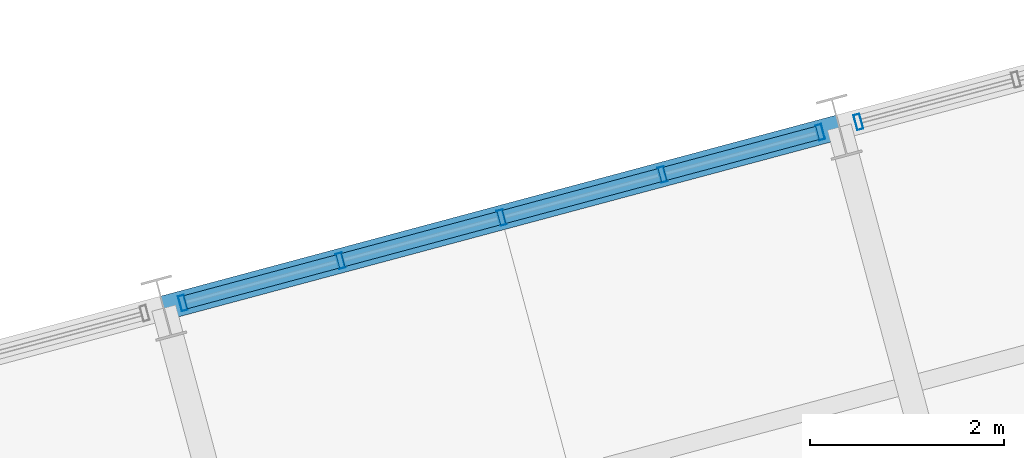
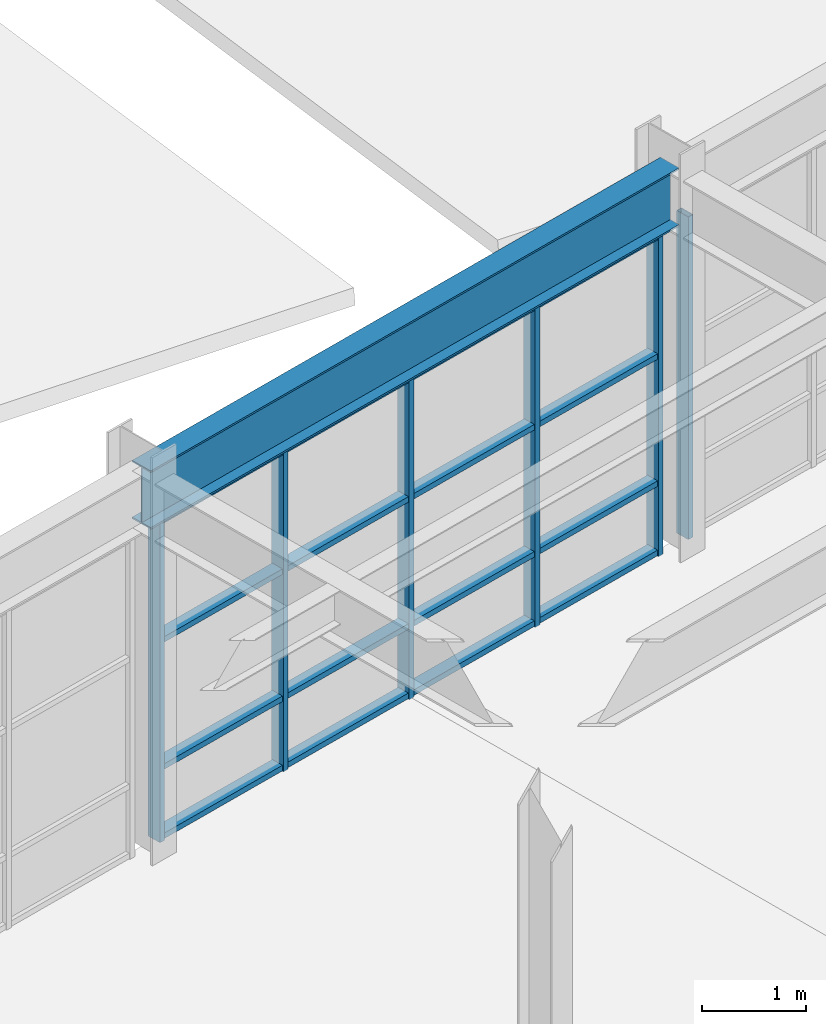
# One storey, part 44 of 104: 22 members, 1 beam, 2 elements without a shape of their own.
"""IFC4 building model written with IfcOpenShell, lengths in metres."""

from ifc_helpers import new_model, si_unit, direction, frame, origin, origin_2d, place, context, subcontext, project, spatial, hollow_rectangle, i_section, extrude, material, layer, layer_set, material_profile, profile_set, type_object, element, aggregate, save


model = new_model("IFC4")

# Units and contexts
model_context = context("Model", 3, precision=1e-05, world=origin(), true_north=direction((0.0, 1.0)))
body_context = subcontext(model_context, "Body", "Model", "MODEL_VIEW")
ifc_project = project(units=[si_unit("LENGTHUNIT", "METRE"), si_unit("AREAUNIT", "SQUARE_METRE"), si_unit("VOLUMEUNIT", "CUBIC_METRE"), si_unit("PLANEANGLEUNIT", "RADIAN"), si_unit("MASSUNIT", "GRAM", prefix="KILO")], contexts=[model_context])

# Site, building, storey
site_placement = place(None, origin())
site = spatial("IfcSite", under=ifc_project, at=site_placement, CompositionType="ELEMENT")
building_placement = place(site_placement, origin())
building = spatial("IfcBuilding", under=site, at=building_placement, Name="Ventoquebrada Cableway Terminal", CompositionType="ELEMENT")
storey_placement = place(building_placement, frame((0.0, 0.0, 4.800048828125)))
storey = spatial("IfcBuildingStorey", under=building, at=storey_placement, Name="L01", CompositionType="ELEMENT", Elevation=4.800048828125)

# Beam
ifc_material_1 = material(Name="Steel ASTM A992 Grade 50", Category="steel")
ifc_material_profile_1 = material_profile(ifc_material_1, i_section(OverallWidth=0.25390625, OverallDepth=0.68798828125, WebThickness=0.01318359375, FlangeThickness=0.02099609375, at=origin_2d()), Name="W27X102")
ifc_profile_set_1 = profile_set([ifc_material_profile_1], Name="Steel ASTM A992 Grade 50")
beam_type = type_object("IfcBeamType", Name="BM-ST04", PredefinedType="BEAM", material=ifc_profile_set_1)
beam_placement = place(storey_placement, frame((59.157958984375, 98.625, 4.130859375), z_axis=(0.96591172503, 0.258871665986, 0.0), x_axis=(-0.258871665986, 0.96591172503, 0.0)))
element("IfcBeam", 1, at=beam_placement, inside=storey, type_object=beam_type, Name="Splayed station girder FBM-1063", PredefinedType="BEAM", context=body_context, shape_type="SweptSolid", body=[
    extrude(i_section(OverallWidth=0.25390625, OverallDepth=0.68798828125, WebThickness=0.01318359375, FlangeThickness=0.02099609375, at=origin_2d()), origin(), (0.0, 0.0, 1.0), 7.200439453125),
])

# Curtain wall, members
ifc_material_2 = material(Name="Anodized thermally-broken aluminium", Category="aluminium")
ifc_layer_1 = layer(ifc_material_2, 0.159912109375)
ifc_layer_set_1 = layer_set([ifc_layer_1], Name="Anodized thermally-broken aluminium")
curtain_wall_type_1 = type_object("IfcCurtainWallType", Name="CW-T36", PredefinedType="USERDEFINED", material=ifc_layer_set_1)
curtain_wall_1_placement = place(storey_placement, origin())
curtain_wall_1 = element("IfcCurtainWall", 2, at=curtain_wall_1_placement, inside=storey, type_object=curtain_wall_type_1, Name="Unitised glazed curtain wall CW-090", ObjectType="UNITISED CURTAIN WALL", PredefinedType="USERDEFINED")
ifc_material_profile_2 = material_profile(ifc_material_2, hollow_rectangle(XDim=0.06494140625, YDim=0.159912109375, WallThickness=0.00390625, at=origin_2d()), Name="CW-MUL-65X160")
ifc_profile_set_2 = profile_set([ifc_material_profile_2], Name="Anodized thermally-broken aluminium")
member_type_1 = type_object("IfcMemberType", Name="CWM-01", PredefinedType="MULLION", material=ifc_profile_set_2)
member_1_placement = place(storey_placement, frame((65.916015625, 100.43603515625, -0.008056640625), z_axis=(0.0, 0.0, 1.0), x_axis=(-0.96593486019, -0.258785327773, 0.0)))
member_1 = element("IfcMember", 3, at=member_1_placement, type_object=member_type_1, Name="Curtain wall mullion FML-0439", PredefinedType="MULLION", context=body_context, shape_type="SweptSolid", body=[
    extrude(hollow_rectangle(XDim=0.06494140625, YDim=0.159912109375, WallThickness=0.00390625, at=origin_2d()), origin(), (0.0, 0.0, 1.0), 3.794921875),
])
member_2_placement = place(storey_placement, frame((64.29296875, 100.0009765625, -0.008056640625), z_axis=(0.0, 0.0, 1.0), x_axis=(-0.96593486019, -0.258785327773, 0.0)))
member_2 = element("IfcMember", 4, at=member_2_placement, type_object=member_type_1, Name="Curtain wall mullion FML-0440", PredefinedType="MULLION", context=body_context, shape_type="SweptSolid", body=[
    extrude(hollow_rectangle(XDim=0.06494140625, YDim=0.159912109375, WallThickness=0.00390625, at=origin_2d()), origin(), (0.0, 0.0, 1.0), 3.794921875),
])
member_3_placement = place(storey_placement, frame((62.635986328125, 99.556884765625, -0.008056640625), z_axis=(0.0, 0.0, 1.0), x_axis=(-0.96593486019, -0.258785327773, 0.0)))
member_3 = element("IfcMember", 5, at=member_3_placement, type_object=member_type_1, Name="Curtain wall mullion FML-0441", PredefinedType="MULLION", context=body_context, shape_type="SweptSolid", body=[
    extrude(hollow_rectangle(XDim=0.06494140625, YDim=0.159912109375, WallThickness=0.00390625, at=origin_2d()), origin(), (0.0, 0.0, 1.0), 3.794921875),
])
member_4_placement = place(storey_placement, frame((60.97802734375, 99.113037109375, -0.008056640625), z_axis=(0.0, 0.0, 1.0), x_axis=(-0.96593486019, -0.258785327773, 0.0)))
member_4 = element("IfcMember", 6, at=member_4_placement, type_object=member_type_1, Name="Curtain wall mullion FML-0442", PredefinedType="MULLION", context=body_context, shape_type="SweptSolid", body=[
    extrude(hollow_rectangle(XDim=0.06494140625, YDim=0.159912109375, WallThickness=0.00390625, at=origin_2d()), origin(), (0.0, 0.0, 1.0), 3.794921875),
])
member_5_placement = place(storey_placement, frame((59.35498046875, 98.677978515625, -0.008056640625), z_axis=(0.0, 0.0, 1.0), x_axis=(-0.96593486019, -0.258785327773, 0.0)))
member_5 = element("IfcMember", 7, at=member_5_placement, type_object=member_type_1, Name="Curtain wall mullion FML-0443", PredefinedType="MULLION", context=body_context, shape_type="SweptSolid", body=[
    extrude(hollow_rectangle(XDim=0.06494140625, YDim=0.159912109375, WallThickness=0.00390625, at=origin_2d()), origin(), (0.0, 0.0, 1.0), 3.794921875),
])

# Curtain wall, member
ifc_layer_2 = layer(ifc_material_2, 0.159912109375)
ifc_layer_set_2 = layer_set([ifc_layer_2], Name="Anodized thermally-broken aluminium")
curtain_wall_type_2 = type_object("IfcCurtainWallType", Name="CW-T37", PredefinedType="USERDEFINED", material=ifc_layer_set_2)
curtain_wall_2_placement = place(storey_placement, origin())
curtain_wall_2 = element("IfcCurtainWall", 8, at=curtain_wall_2_placement, inside=storey, type_object=curtain_wall_type_2, Name="Unitised glazed curtain wall CW-091", ObjectType="UNITISED CURTAIN WALL", PredefinedType="USERDEFINED")
member_6_placement = place(storey_placement, frame((66.31005859375, 100.5419921875, -0.008056640625), z_axis=(0.0, 0.0, 1.0), x_axis=(-0.965961954829, -0.258684173892, 0.0)))
member_6 = element("IfcMember", 9, at=member_6_placement, type_object=member_type_1, Name="Curtain wall mullion FML-0448", PredefinedType="MULLION", context=body_context, shape_type="SweptSolid", body=[
    extrude(hollow_rectangle(XDim=0.06494140625, YDim=0.159912109375, WallThickness=0.00390625, at=origin_2d()), origin(), (0.0, 0.0, 1.0), 3.794921875),
])
aggregate(curtain_wall_2, [member_6])

# Member
ifc_material_profile_3 = material_profile(ifc_material_2, hollow_rectangle(XDim=0.06494140625, YDim=0.139892578125, WallThickness=0.00390625, at=origin_2d()), Name="CW-TRN-65X140")
ifc_profile_set_3 = profile_set([ifc_material_profile_3], Name="Anodized thermally-broken aluminium")
member_type_2 = type_object("IfcMemberType", Name="CWT-01", PredefinedType="USERDEFINED", material=ifc_profile_set_3)
member_7_placement = place(storey_placement, frame((65.889892578125, 100.428955078125, 0.034912109375), z_axis=(-0.965925267213, -0.258821131594, 0.0), x_axis=(0.0, 0.0, 1.0)))
member_7 = element("IfcMember", 10, at=member_7_placement, type_object=member_type_2, Name="Curtain wall transom FTR-1304", ObjectType="TRANSOM", PredefinedType="USERDEFINED", context=body_context, shape_type="SweptSolid", body=[
    extrude(hollow_rectangle(XDim=0.06494140625, YDim=0.139892578125, WallThickness=0.00390625, at=origin_2d()), origin(), (0.0, 0.0, 1.0), 1.626220703125),
])

member_8_placement = place(storey_placement, frame((65.889892578125, 100.428955078125, 0.849853515625), z_axis=(-0.965925267213, -0.258821131594, 0.0), x_axis=(0.0, 0.0, 1.0)))
member_8 = element("IfcMember", 11, at=member_8_placement, type_object=member_type_2, Name="Curtain wall transom FTR-1305", ObjectType="TRANSOM", PredefinedType="USERDEFINED", context=body_context, shape_type="SweptSolid", body=[
    extrude(hollow_rectangle(XDim=0.06494140625, YDim=0.139892578125, WallThickness=0.00390625, at=origin_2d()), origin(), (0.0, 0.0, 1.0), 1.626220703125),
])

member_9_placement = place(storey_placement, frame((65.889892578125, 100.428955078125, 2.344970703125), z_axis=(-0.965925267213, -0.258821131594, 0.0), x_axis=(0.0, 0.0, 1.0)))
member_9 = element("IfcMember", 12, at=member_9_placement, type_object=member_type_2, Name="Curtain wall transom FTR-1306", ObjectType="TRANSOM", PredefinedType="USERDEFINED", context=body_context, shape_type="SweptSolid", body=[
    extrude(hollow_rectangle(XDim=0.06494140625, YDim=0.139892578125, WallThickness=0.00390625, at=origin_2d()), origin(), (0.0, 0.0, 1.0), 1.626220703125),
])

member_10_placement = place(storey_placement, frame((65.889892578125, 100.428955078125, 3.7470703125), z_axis=(-0.965925267213, -0.258821131594, 0.0), x_axis=(0.0, 0.0, 1.0)))
member_10 = element("IfcMember", 13, at=member_10_placement, type_object=member_type_2, Name="Curtain wall transom FTR-1307", ObjectType="TRANSOM", PredefinedType="USERDEFINED", context=body_context, shape_type="SweptSolid", body=[
    extrude(hollow_rectangle(XDim=0.06494140625, YDim=0.139892578125, WallThickness=0.00390625, at=origin_2d()), origin(), (0.0, 0.0, 1.0), 1.626220703125),
])

member_11_placement = place(storey_placement, frame((64.26611328125, 99.993896484375, 0.034912109375), z_axis=(-0.965904733217, -0.258897752693, 0.0), x_axis=(0.0, 0.0, 1.0)))
member_11 = element("IfcMember", 14, at=member_11_placement, type_object=member_type_2, Name="Curtain wall transom FTR-1308", ObjectType="TRANSOM", PredefinedType="USERDEFINED", context=body_context, shape_type="SweptSolid", body=[
    extrude(hollow_rectangle(XDim=0.06494140625, YDim=0.139892578125, WallThickness=0.00390625, at=origin_2d()), origin(), (0.0, 0.0, 1.0), 1.66064453125),
])

member_12_placement = place(storey_placement, frame((64.26611328125, 99.993896484375, 0.849853515625), z_axis=(-0.965904733217, -0.258897752693, 0.0), x_axis=(0.0, 0.0, 1.0)))
member_12 = element("IfcMember", 15, at=member_12_placement, type_object=member_type_2, Name="Curtain wall transom FTR-1309", ObjectType="TRANSOM", PredefinedType="USERDEFINED", context=body_context, shape_type="SweptSolid", body=[
    extrude(hollow_rectangle(XDim=0.06494140625, YDim=0.139892578125, WallThickness=0.00390625, at=origin_2d()), origin(), (0.0, 0.0, 1.0), 1.66064453125),
])

member_13_placement = place(storey_placement, frame((64.26611328125, 99.993896484375, 2.344970703125), z_axis=(-0.965904733217, -0.258897752693, 0.0), x_axis=(0.0, 0.0, 1.0)))
member_13 = element("IfcMember", 16, at=member_13_placement, type_object=member_type_2, Name="Curtain wall transom FTR-1310", ObjectType="TRANSOM", PredefinedType="USERDEFINED", context=body_context, shape_type="SweptSolid", body=[
    extrude(hollow_rectangle(XDim=0.06494140625, YDim=0.139892578125, WallThickness=0.00390625, at=origin_2d()), origin(), (0.0, 0.0, 1.0), 1.66064453125),
])

member_14_placement = place(storey_placement, frame((64.26611328125, 99.993896484375, 3.7470703125), z_axis=(-0.965904733217, -0.258897752693, 0.0), x_axis=(0.0, 0.0, 1.0)))
member_14 = element("IfcMember", 17, at=member_14_placement, type_object=member_type_2, Name="Curtain wall transom FTR-1311", ObjectType="TRANSOM", PredefinedType="USERDEFINED", context=body_context, shape_type="SweptSolid", body=[
    extrude(hollow_rectangle(XDim=0.06494140625, YDim=0.139892578125, WallThickness=0.00390625, at=origin_2d()), origin(), (0.0, 0.0, 1.0), 1.66064453125),
])

member_15_placement = place(storey_placement, frame((62.60888671875, 99.550048828125, 0.034912109375), z_axis=(-0.965904733217, -0.258897752693, 0.0), x_axis=(0.0, 0.0, 1.0)))
member_15 = element("IfcMember", 18, at=member_15_placement, type_object=member_type_2, Name="Curtain wall transom FTR-1312", ObjectType="TRANSOM", PredefinedType="USERDEFINED", context=body_context, shape_type="SweptSolid", body=[
    extrude(hollow_rectangle(XDim=0.06494140625, YDim=0.139892578125, WallThickness=0.00390625, at=origin_2d()), origin(), (0.0, 0.0, 1.0), 1.66064453125),
])

member_16_placement = place(storey_placement, frame((62.60888671875, 99.550048828125, 0.849853515625), z_axis=(-0.965904733217, -0.258897752693, 0.0), x_axis=(0.0, 0.0, 1.0)))
member_16 = element("IfcMember", 19, at=member_16_placement, type_object=member_type_2, Name="Curtain wall transom FTR-1313", ObjectType="TRANSOM", PredefinedType="USERDEFINED", context=body_context, shape_type="SweptSolid", body=[
    extrude(hollow_rectangle(XDim=0.06494140625, YDim=0.139892578125, WallThickness=0.00390625, at=origin_2d()), origin(), (0.0, 0.0, 1.0), 1.66064453125),
])

member_17_placement = place(storey_placement, frame((62.60888671875, 99.550048828125, 2.344970703125), z_axis=(-0.965904733217, -0.258897752693, 0.0), x_axis=(0.0, 0.0, 1.0)))
member_17 = element("IfcMember", 20, at=member_17_placement, type_object=member_type_2, Name="Curtain wall transom FTR-1314", ObjectType="TRANSOM", PredefinedType="USERDEFINED", context=body_context, shape_type="SweptSolid", body=[
    extrude(hollow_rectangle(XDim=0.06494140625, YDim=0.139892578125, WallThickness=0.00390625, at=origin_2d()), origin(), (0.0, 0.0, 1.0), 1.66064453125),
])

member_18_placement = place(storey_placement, frame((62.60888671875, 99.550048828125, 3.7470703125), z_axis=(-0.965904733217, -0.258897752693, 0.0), x_axis=(0.0, 0.0, 1.0)))
member_18 = element("IfcMember", 21, at=member_18_placement, type_object=member_type_2, Name="Curtain wall transom FTR-1315", ObjectType="TRANSOM", PredefinedType="USERDEFINED", context=body_context, shape_type="SweptSolid", body=[
    extrude(hollow_rectangle(XDim=0.06494140625, YDim=0.139892578125, WallThickness=0.00390625, at=origin_2d()), origin(), (0.0, 0.0, 1.0), 1.66064453125),
])

member_19_placement = place(storey_placement, frame((60.951904296875, 99.10595703125, 0.034912109375), z_axis=(-0.965925267213, -0.258821131594, 0.0), x_axis=(0.0, 0.0, 1.0)))
member_19 = element("IfcMember", 22, at=member_19_placement, type_object=member_type_2, Name="Curtain wall transom FTR-1316", ObjectType="TRANSOM", PredefinedType="USERDEFINED", context=body_context, shape_type="SweptSolid", body=[
    extrude(hollow_rectangle(XDim=0.06494140625, YDim=0.139892578125, WallThickness=0.00390625, at=origin_2d()), origin(), (0.0, 0.0, 1.0), 1.626220703125),
])

member_20_placement = place(storey_placement, frame((60.951904296875, 99.10595703125, 0.849853515625), z_axis=(-0.965925267213, -0.258821131594, 0.0), x_axis=(0.0, 0.0, 1.0)))
member_20 = element("IfcMember", 23, at=member_20_placement, type_object=member_type_2, Name="Curtain wall transom FTR-1317", ObjectType="TRANSOM", PredefinedType="USERDEFINED", context=body_context, shape_type="SweptSolid", body=[
    extrude(hollow_rectangle(XDim=0.06494140625, YDim=0.139892578125, WallThickness=0.00390625, at=origin_2d()), origin(), (0.0, 0.0, 1.0), 1.626220703125),
])

member_21_placement = place(storey_placement, frame((60.951904296875, 99.10595703125, 2.344970703125), z_axis=(-0.965925267213, -0.258821131594, 0.0), x_axis=(0.0, 0.0, 1.0)))
member_21 = element("IfcMember", 24, at=member_21_placement, type_object=member_type_2, Name="Curtain wall transom FTR-1318", ObjectType="TRANSOM", PredefinedType="USERDEFINED", context=body_context, shape_type="SweptSolid", body=[
    extrude(hollow_rectangle(XDim=0.06494140625, YDim=0.139892578125, WallThickness=0.00390625, at=origin_2d()), origin(), (0.0, 0.0, 1.0), 1.626220703125),
])

member_22_placement = place(storey_placement, frame((60.951904296875, 99.10595703125, 3.7470703125), z_axis=(-0.965925267213, -0.258821131594, 0.0), x_axis=(0.0, 0.0, 1.0)))
member_22 = element("IfcMember", 25, at=member_22_placement, type_object=member_type_2, Name="Curtain wall transom FTR-1319", ObjectType="TRANSOM", PredefinedType="USERDEFINED", context=body_context, shape_type="SweptSolid", body=[
    extrude(hollow_rectangle(XDim=0.06494140625, YDim=0.139892578125, WallThickness=0.00390625, at=origin_2d()), origin(), (0.0, 0.0, 1.0), 1.626220703125),
])

aggregate(curtain_wall_1, [member_1, member_2, member_3, member_4, member_5, member_7, member_8, member_9, member_10, member_11, member_12, member_13, member_14, member_15, member_16, member_17, member_18, member_19, member_20, member_21, member_22])

save(model, "model.ifc")
